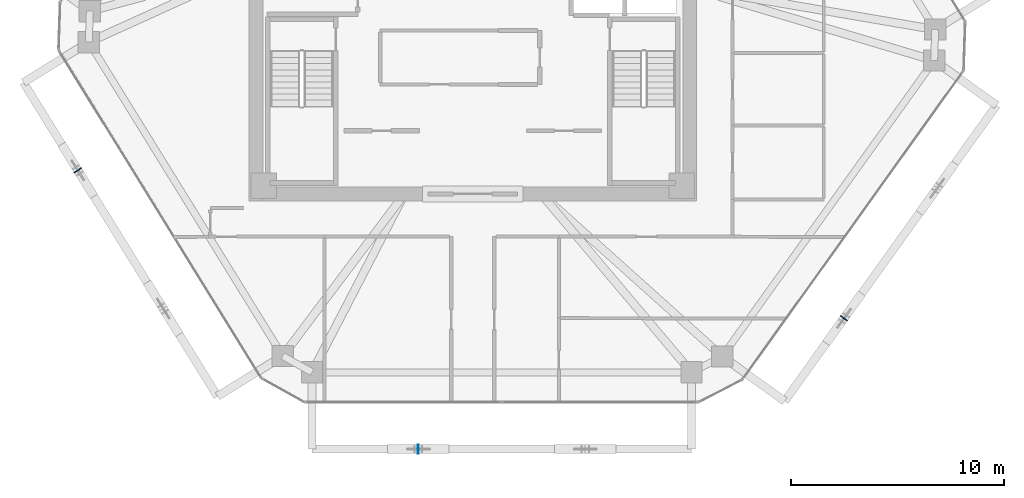
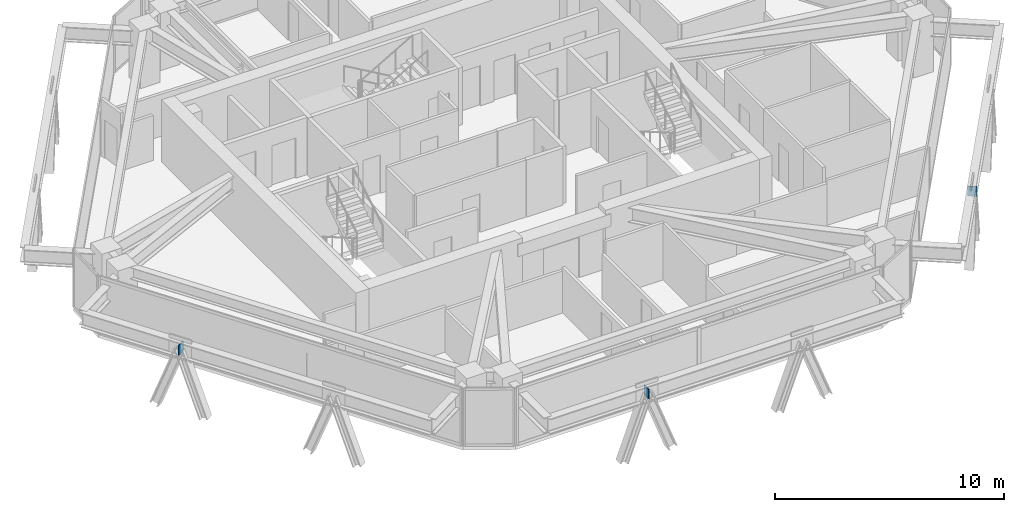
# One storey, part 8 of 14: 3 plates.
"""IFC4 building model written with IfcOpenShell, lengths in metres."""

from ifc_helpers import new_model, si_unit, direction, frame, origin, origin_2d, place, context, subcontext, project, spatial, rectangle, extrude, source, transform, mapped, material, layer, layer_set, type_object, type_shapes, element, save


model = new_model("IFC4")

# Units and contexts
model_context = context("Model", 3, precision=1e-05, world=origin(), true_north=direction((0.0, 1.0)))
body_context = subcontext(model_context, "Body", "Model", "MODEL_VIEW")
ifc_project = project(units=[si_unit("LENGTHUNIT", "METRE"), si_unit("AREAUNIT", "SQUARE_METRE"), si_unit("VOLUMEUNIT", "CUBIC_METRE"), si_unit("PLANEANGLEUNIT", "RADIAN"), si_unit("MASSUNIT", "GRAM", prefix="KILO")], contexts=[model_context])

# Site, building, storey
site_placement = place(None, origin())
site = spatial("IfcSite", under=ifc_project, at=site_placement, CompositionType="ELEMENT")
building_placement = place(site_placement, origin())
building = spatial("IfcBuilding", under=site, at=building_placement, Name="Durnholm Broadcast Tower", CompositionType="ELEMENT")
storey_placement = place(building_placement, frame((0.0, 0.0, 187.0)))
storey = spatial("IfcBuildingStorey", under=building, at=storey_placement, Name="L51", CompositionType="ELEMENT", Elevation=187.0)

# Plates
ifc_material = material(Name="Steel ASTM A572 Grade 50", Category="steel")
ifc_layer = layer(ifc_material, 0.044921875)
ifc_layer_set = layer_set([ifc_layer], Name="Steel ASTM A572 Grade 50")
plate_type = type_object("IfcPlateType", Name="PLT-KN-STIF", PredefinedType="SHEET", material=ifc_layer_set)
shared_shape = source(origin(), body_context, "Body", "SweptSolid", [
    extrude(rectangle(XDim=0.044921875, YDim=0.419921875, at=origin_2d()), origin(), (0.0, 0.0, 1.0), 0.52001953125),
])
type_shapes(plate_type, [shared_shape])
for number, where, z_axis, x_axis, name in (
    (1, (-2.556640625, -20.14208984375, 2.048583984375), (0.0, 0.0, 1.0), (1.0, 0.0, 0.0), "L51 welded diagrid node stiffener plate F1"),
    (2, (17.40966796875, -14.009521484375, 2.048583984375), (0.0, 0.0, 1.0), (0.582122970157, 0.813100761047, 0.0), "L51 welded diagrid node stiffener plate F2"),
    (3, (-18.5244140625, -7.07080078125, 2.048583984375), (0.0, 0.0, 1.0), (0.525768608156, -0.850627633385, 0.0), "L51 welded diagrid node stiffener plate F6"),
):
    element("IfcPlate", number, at=place(storey_placement, frame(where, z_axis=z_axis, x_axis=x_axis)), inside=storey, type_object=plate_type, Name=name, PredefinedType="SHEET", context=body_context, shape_type="MappedRepresentation", body=[
        mapped(shared_shape, transform((0.0, 0.0, 0.0), x_axis=(1.0, 0.0, 0.0), y_axis=(0.0, 1.0, 0.0), z_axis=(0.0, 0.0, 1.0), scale=1.0)),
    ])

save(model, "model.ifc")
